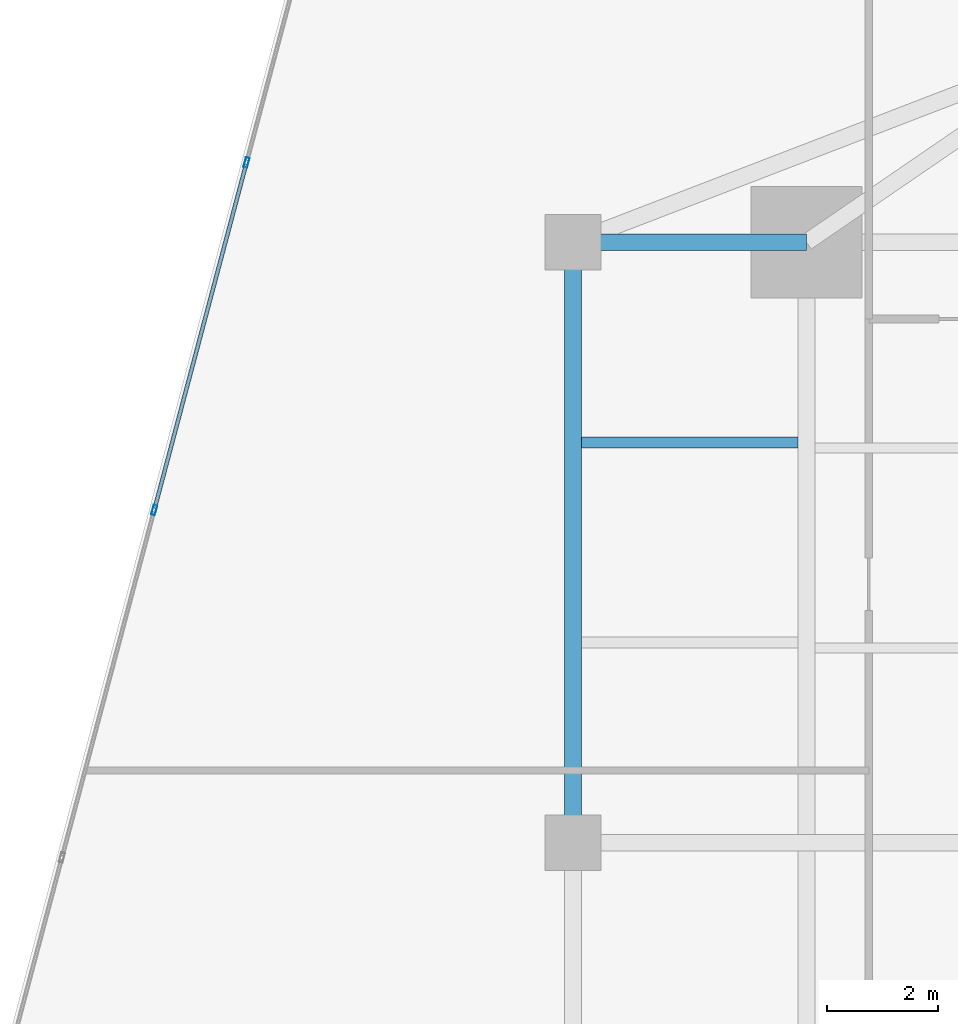
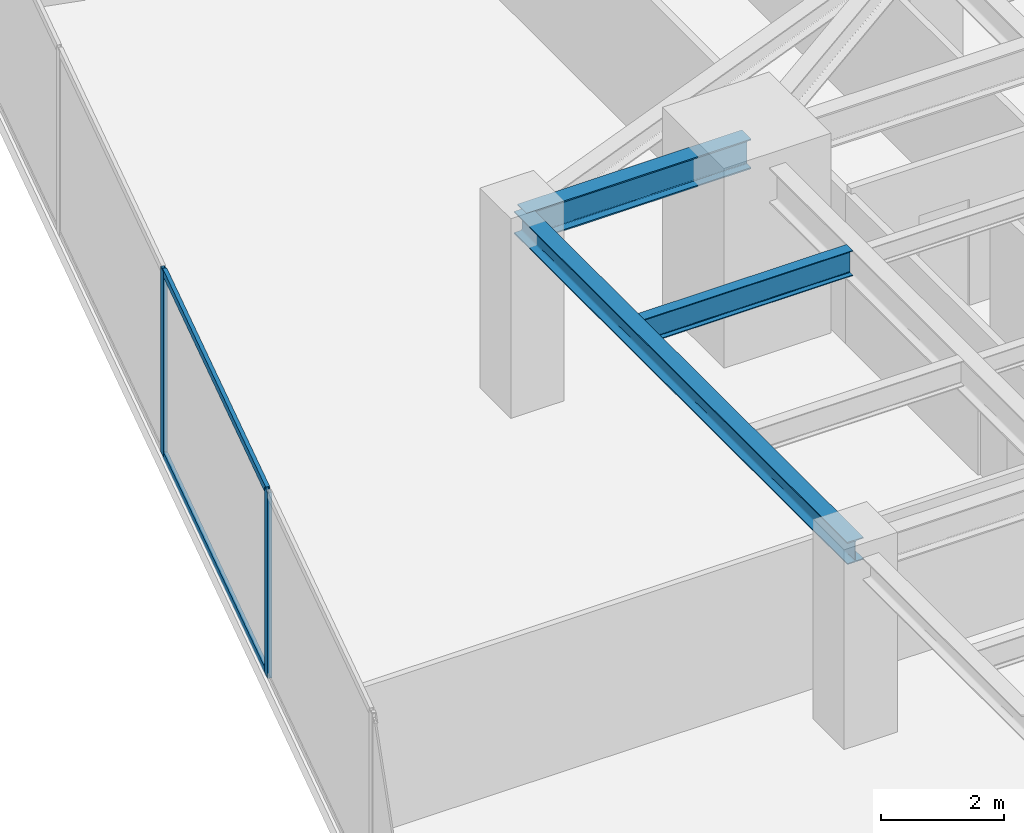
# One storey, part 14 of 27: 4 members, 3 beams, 1 element without a shape of its own.
"""IFC4 building model written with IfcOpenShell, lengths in metres."""

import ifcopenshell
import ifcopenshell.guid

model = None  # the IFC model being written
_history = None  # IfcOwnerHistory: only IFC2X3 demands one
_inside = {}  # id of a spatial element -> (the spatial element, [elements in it])
_under = {}  # id of a project, library or spatial element -> (it, [spatial elements below it])
_declared = {}  # id of a project -> (the project, [libraries it declares])
_typed = {}  # id of a type object -> (the type object, [elements of that type])
_made_of = {}  # id of a material, layer set ... -> (it, [elements and type objects made of it])


def new_model(schema):
    """Start an empty IFC model of exactly this schema.

    Asked for "IFC4X3", IfcOpenShell would pick the latest addendum, in which some entities
    have other attributes; the version numbers below select the first issue.
    IFC2X3 requires an IfcOwnerHistory on every rooted entity: one is made here for all.
    """
    global model, _history
    if schema == "IFC4X3":
        model = ifcopenshell.file(schema_version=(4, 3, 0, 0))
    else:
        model = ifcopenshell.file(schema=schema)
    _inside.clear()
    _under.clear()
    _declared.clear()
    _typed.clear()
    _made_of.clear()
    _history = None
    if model.schema == "IFC2X3":
        org = make("IfcOrganization", Name="unknown")
        user = make(
            "IfcPersonAndOrganization",
            ThePerson=make("IfcPerson", FamilyName="unknown"),
            TheOrganization=org,
        )
        app = make(
            "IfcApplication",
            ApplicationDeveloper=org,
            Version="unknown",
            ApplicationFullName="unknown",
            ApplicationIdentifier="unknown",
        )
        _history = make(
            "IfcOwnerHistory",
            OwningUser=user,
            OwningApplication=app,
            ChangeAction="ADDED",
            CreationDate=0,
        )
    return model


def make(cls, **values):
    """One entity of the class cls with the attributes given. An attribute that is None is left unset."""
    return model.create_entity(
        cls, **{name: value for name, value in values.items() if value is not None}
    )


def rooted(cls, **values):
    """An entity with a GlobalId (a new one), such as an element, a storey or a relation."""
    return make(cls, GlobalId=ifcopenshell.guid.new(), OwnerHistory=_history, **values)


def si_unit(unit_type, name, prefix=None):
    """IfcSIUnit, for example si_unit("LENGTHUNIT", "METRE", prefix="MILLI")."""
    return make("IfcSIUnit", UnitType=unit_type, Prefix=prefix, Name=name)


def assignment(units):
    """IfcUnitAssignment: the units of a project."""
    return None if units is None else make("IfcUnitAssignment", Units=units)


def point(xyz):
    """IfcCartesianPoint."""
    return None if xyz is None else make("IfcCartesianPoint", Coordinates=xyz)


def direction(xyz):
    """IfcDirection."""
    return None if xyz is None else make("IfcDirection", DirectionRatios=xyz)


def frame(location, z_axis=None, x_axis=None):
    """IfcAxis2Placement3D, a coordinate frame: its origin and axes. An axis left out is left unset."""
    return make(
        "IfcAxis2Placement3D",
        Location=point(location),
        Axis=direction(z_axis),
        RefDirection=direction(x_axis),
    )


def frame_2d(location, x_axis=None):
    """IfcAxis2Placement2D, a coordinate frame in the plane: its origin and x axis."""
    return make(
        "IfcAxis2Placement2D", Location=point(location), RefDirection=direction(x_axis)
    )


def origin():
    """The frame at (0, 0, 0) with its axes left unset."""
    return frame((0.0, 0.0, 0.0))


def origin_2d():
    """The frame at (0, 0) in the plane with its x axis left unset."""
    return frame_2d((0.0, 0.0))


def place(relative_to, where):
    """IfcLocalPlacement: puts the frame where relative to a parent placement (None: the world)."""
    return make(
        "IfcLocalPlacement", PlacementRelTo=relative_to, RelativePlacement=where
    )


def context(
    kind, dimensions, precision=None, world=None, true_north=None, identifier=None
):
    """IfcGeometricRepresentationContext, for example the 3D "Model" context."""
    return make(
        "IfcGeometricRepresentationContext",
        ContextIdentifier=identifier,
        ContextType=kind,
        CoordinateSpaceDimension=dimensions,
        Precision=precision,
        WorldCoordinateSystem=world,
        TrueNorth=true_north,
    )


def subcontext(parent, identifier, kind, view, scale=None):
    """IfcGeometricRepresentationSubContext, for example "Body" below "Model"."""
    return make(
        "IfcGeometricRepresentationSubContext",
        ContextIdentifier=identifier,
        ContextType=kind,
        ParentContext=parent,
        TargetScale=scale,
        TargetView=view,
    )


def project(units=None, contexts=None):
    """IfcProject with its units and contexts."""
    return rooted(
        "IfcProject",
        Name="project",
        RepresentationContexts=contexts,
        UnitsInContext=assignment(units),
    )


def spatial(cls, under=None, at=None, **own):
    """A site, building, storey or space (cls), placed at a placement, below another one or the project."""
    s = rooted(cls, ObjectPlacement=at, **own)
    if under is not None:
        _under.setdefault(under.id(), (under, []))[1].append(s)
    return s


def profile(cls, at=None, kind="AREA", **sizes):
    """A parametric profile (cls). Its sizes go by their IFC names, for example OverallWidth=200.0."""
    return make(cls, ProfileType=kind, Position=at, **sizes)


def hollow_rectangle(**sizes):
    """IfcRectangleHollowProfileDef."""
    return profile("IfcRectangleHollowProfileDef", **sizes)


def i_section(**sizes):
    """IfcIShapeProfileDef."""
    return profile("IfcIShapeProfileDef", **sizes)


def extrude(swept, where, along, depth):
    """IfcExtrudedAreaSolid: the profile swept, set in the frame where, extruded along a direction by depth."""
    return make(
        "IfcExtrudedAreaSolid",
        SweptArea=swept,
        Position=where,
        ExtrudedDirection=direction(along),
        Depth=depth,
    )


def shape(context_of_items, identifier, shape_type, items):
    """IfcShapeRepresentation: the items that make up one representation, for example the "Body"."""
    return make(
        "IfcShapeRepresentation",
        ContextOfItems=context_of_items,
        RepresentationIdentifier=identifier,
        RepresentationType=shape_type,
        Items=items,
    )


def source(mapping_origin, context_of_items, identifier, shape_type, items):
    """IfcRepresentationMap: a shape defined once, which mapped items show again and again."""
    return make(
        "IfcRepresentationMap",
        MappingOrigin=mapping_origin,
        MappedRepresentation=shape(context_of_items, identifier, shape_type, items),
    )


def transform(
    local_origin,
    x_axis=None,
    y_axis=None,
    z_axis=None,
    scale=None,
    scale2=None,
    scale3=None,
    uniform=True,
):
    """IfcCartesianTransformationOperator3D, or its non-uniform kind. x_axis, y_axis, z_axis: its Axis1, 2, 3."""
    if uniform:
        return make(
            "IfcCartesianTransformationOperator3D",
            Axis1=direction(x_axis),
            Axis2=direction(y_axis),
            LocalOrigin=point(local_origin),
            Scale=scale,
            Axis3=direction(z_axis),
        )
    return make(
        "IfcCartesianTransformationOperator3DnonUniform",
        Axis1=direction(x_axis),
        Axis2=direction(y_axis),
        LocalOrigin=point(local_origin),
        Scale=scale,
        Axis3=direction(z_axis),
        Scale2=scale2,
        Scale3=scale3,
    )


def mapped(mapping_source, mapping_target):
    """IfcMappedItem: shows the shape of a source again, moved by a transform."""
    return make(
        "IfcMappedItem", MappingSource=mapping_source, MappingTarget=mapping_target
    )


def material(Name=None, Category=None):
    """IfcMaterial."""
    return make("IfcMaterial", Name=Name, Category=Category)


def material_profile(
    of_material, cross_section, Name=None, Category=None, Priority=None
):
    """IfcMaterialProfile: a cross section and its material."""
    return make(
        "IfcMaterialProfile",
        Name=Name,
        Material=of_material,
        Profile=cross_section,
        Priority=Priority,
        Category=Category,
    )


def profile_set(profiles, Name=None, composite=None):
    """IfcMaterialProfileSet."""
    return make(
        "IfcMaterialProfileSet",
        Name=Name,
        MaterialProfiles=profiles,
        CompositeProfile=composite,
    )


def made_of(thing, what):
    """Note that an element or type object is made of a material, layer set ...; save() writes the relation."""
    if what is not None:
        _made_of.setdefault(what.id(), (what, []))[1].append(thing)
    return thing


def type_object(cls, material=None, **own):
    """A type object (cls), such as IfcWallType, which elements share."""
    return made_of(rooted(cls, **own), material)


def type_shapes(of_type, sources):
    """Give a type object the sources (RepresentationMaps) that its elements show as mapped items."""
    of_type.RepresentationMaps = sources


def element(
    cls,
    number,
    at=None,
    inside=None,
    cuts=None,
    type_object=None,
    material=None,
    context=None,
    identifier="Body",
    shape_type=None,
    held_by="IfcProductDefinitionShape",
    body=None,
    shapes=None,
    **own,
):
    """One element of the class cls, such as IfcWall. Its Tag is "e" and its number.

    at: its placement. inside: the storey or other place that contains it. cuts: it is an
    opening in that element (IfcRelVoidsElement). A single representation is given by context,
    identifier, shape_type and body (its items); several are given by shapes. held_by: the class
    of the entity that holds the representations. save() writes the other relations.
    """
    e = rooted(cls, Tag="e%d" % number, ObjectPlacement=at, **own)
    if body is not None:
        shapes = [shape(context, identifier, shape_type, body)]
    if shapes is not None:
        e.Representation = make(held_by, Representations=shapes)
    if inside is not None:
        _inside.setdefault(inside.id(), (inside, []))[1].append(e)
    if cuts is not None:
        rooted(
            "IfcRelVoidsElement", RelatingBuildingElement=cuts, RelatedOpeningElement=e
        )
    if type_object is not None:
        _typed.setdefault(type_object.id(), (type_object, []))[1].append(e)
    return made_of(e, material)


def aggregate(whole, parts):
    """IfcRelAggregates: a whole, such as a stair, and the parts it consists of."""
    return rooted("IfcRelAggregates", RelatingObject=whole, RelatedObjects=parts)


def save(model, path):
    """Write the relations noted so far, then the file.

    IfcRelAggregates (storeys below a building ...), IfcRelContainedInSpatialStructure (elements
    in a storey), IfcRelDefinesByType, IfcRelAssociatesMaterial and IfcRelDeclares: one each for
    every whole, place, type object, material and project.
    """
    for whole, parts in _under.values():
        aggregate(whole, parts)
    for where, things in _inside.values():
        rooted(
            "IfcRelContainedInSpatialStructure",
            RelatedElements=things,
            RelatingStructure=where,
        )
    for kind, things in _typed.values():
        rooted("IfcRelDefinesByType", RelatedObjects=things, RelatingType=kind)
    for what, things in _made_of.values():
        rooted("IfcRelAssociatesMaterial", RelatedObjects=things, RelatingMaterial=what)
    for by, libraries in _declared.values():
        rooted("IfcRelDeclares", RelatingContext=by, RelatedDefinitions=libraries)
    model.write(path)


model = new_model("IFC4")

# Units and contexts
model_context = context("Model", 3, precision=1e-05, world=origin(), true_north=direction((0.0, 1.0)))
body_context = subcontext(model_context, "Body", "Model", "MODEL_VIEW")
ifc_project = project(units=[si_unit("LENGTHUNIT", "METRE"), si_unit("AREAUNIT", "SQUARE_METRE"), si_unit("VOLUMEUNIT", "CUBIC_METRE"), si_unit("PLANEANGLEUNIT", "RADIAN"), si_unit("MASSUNIT", "GRAM", prefix="KILO")], contexts=[model_context])

# Site, building, storey
site_placement = place(None, origin())
site = spatial("IfcSite", under=ifc_project, at=site_placement, CompositionType="ELEMENT")
building_placement = place(site_placement, origin())
building = spatial("IfcBuilding", under=site, at=building_placement, Name="Krantzveldt Concourse Tower", CompositionType="ELEMENT")
storey_placement = place(building_placement, frame((0.0, 0.0, 97.949951171875)))
storey = spatial("IfcBuildingStorey", under=building, at=storey_placement, Name="L23", CompositionType="ELEMENT", Elevation=97.949951171875)

# Beams
ifc_material_1 = material(Name="Steel S355JR", Category="steel")
ifc_material_profile_1 = material_profile(ifc_material_1, i_section(OverallWidth=0.300048828125, OverallDepth=0.43994140625, WebThickness=0.011474609375, FlangeThickness=0.02099609375, FilletRadius=0.027099609375, at=origin_2d()), Name="Steel S355JR", Category="steel")
ifc_profile_set_1 = profile_set([ifc_material_profile_1], Name="Steel S355JR - HEA 450")
beam_type_1 = type_object("IfcBeamType", Name="BM-SP-HEA450", PredefinedType="SPANDREL", material=ifc_profile_set_1)
shared_shape_1 = source(origin(), body_context, "Body", "SweptSolid", [
    extrude(i_section(OverallWidth=0.300048828125, OverallDepth=0.43994140625, WebThickness=0.011474609375, FlangeThickness=0.02099609375, FilletRadius=0.027099609375, at=origin_2d()), origin(), (0.0, 0.0, 1.0), 10.800048828125),
])
type_shapes(beam_type_1, [shared_shape_1])
beam_1_placement = place(storey_placement, frame((21.0, 26.699951171875, 3.449951171875), z_axis=(0.0, 1.0, 0.0), x_axis=(-1.0, 0.0, 0.0)))
element("IfcBeam", 1, at=beam_1_placement, inside=storey, type_object=beam_type_1, Name="L23 Tower Girder SP-R02", PredefinedType="SPANDREL", context=body_context, shape_type="MappedRepresentation", body=[
    mapped(shared_shape_1, transform((0.0, 0.0, 0.0), x_axis=(1.0, 0.0, 0.0), y_axis=(0.0, 1.0, 0.0), z_axis=(0.0, 0.0, 1.0), scale=1.0)),
])
ifc_material_profile_2 = material_profile(ifc_material_1, i_section(OverallWidth=0.300048828125, OverallDepth=0.590087890625, WebThickness=0.012939453125, FlangeThickness=0.02490234375, FilletRadius=0.027099609375, at=origin_2d()), Name="Steel S355JR", Category="steel")
ifc_profile_set_2 = profile_set([ifc_material_profile_2], Name="Steel S355JR - HEA 600")
beam_type_2 = type_object("IfcBeamType", Name="BM-B-HEA600", PredefinedType="BEAM", material=ifc_profile_set_2)
shared_shape_2 = source(origin(), body_context, "Body", "SweptSolid", [
    extrude(i_section(OverallWidth=0.300048828125, OverallDepth=0.590087890625, WebThickness=0.012939453125, FlangeThickness=0.02490234375, FilletRadius=0.027099609375, at=origin_2d()), origin(), (0.0, 0.0, 1.0), 4.199951171875),
])
type_shapes(beam_type_2, [shared_shape_2])
beam_2_placement = place(storey_placement, frame((21.0, 37.5, 3.375), z_axis=(1.0, 0.0, 0.0), x_axis=(0.0, 1.0, 0.0)))
element("IfcBeam", 2, at=beam_2_placement, inside=storey, type_object=beam_type_2, Name="L23 Tower Girder BR-RL3", PredefinedType="BEAM", context=body_context, shape_type="MappedRepresentation", body=[
    mapped(shared_shape_2, transform((0.0, 0.0, 0.0), x_axis=(1.0, 0.0, 0.0), y_axis=(0.0, 1.0, 0.0), z_axis=(0.0, 0.0, 1.0), scale=1.0)),
])
ifc_material_profile_3 = material_profile(ifc_material_1, i_section(OverallWidth=0.199951171875, OverallDepth=0.5, WebThickness=0.01025390625, FlangeThickness=0.01611328125, FilletRadius=0.02099609375, at=origin_2d()), Name="Steel S355JR", Category="steel")
ifc_profile_set_3 = profile_set([ifc_material_profile_3], Name="Steel S355JR - IPE 500")
beam_type_3 = type_object("IfcBeamType", Name="BM-J-IPE500", PredefinedType="JOIST", material=ifc_profile_set_3)
shared_shape_3 = source(origin(), body_context, "Body", "SweptSolid", [
    extrude(i_section(OverallWidth=0.199951171875, OverallDepth=0.5, WebThickness=0.01025390625, FlangeThickness=0.01611328125, FilletRadius=0.02099609375, at=origin_2d()), origin(), (0.0, 0.0, 1.0), 3.900146484375),
])
type_shapes(beam_type_3, [shared_shape_3])
beam_3_placement = place(storey_placement, frame((21.14990234375, 33.89990234375, 3.420166015625), z_axis=(1.0, 0.0, 0.0), x_axis=(0.0, 1.0, 0.0)))
element("IfcBeam", 3, at=beam_3_placement, inside=storey, type_object=beam_type_3, Name="L23 Secondary Floor Joist JW-4", PredefinedType="JOIST", context=body_context, shape_type="MappedRepresentation", body=[
    mapped(shared_shape_3, transform((0.0, 0.0, 0.0), x_axis=(1.0, 0.0, 0.0), y_axis=(0.0, 1.0, 0.0), z_axis=(0.0, 0.0, 1.0), scale=1.0)),
])

# Curtain wall, members
ifc_material_2 = material(Name="Anodised aluminium 6063-T6", Category="aluminium")
curtain_wall_type = type_object("IfcCurtainWallType", Name="CW2", PredefinedType="USERDEFINED", material=ifc_material_2)
curtain_wall_placement = place(storey_placement, origin())
curtain_wall = element("IfcCurtainWall", 4, at=curtain_wall_placement, inside=storey, type_object=curtain_wall_type, Name="CW-L23-F01", ObjectType="UNITISED CURTAIN WALL", PredefinedType="USERDEFINED")
ifc_material_profile_4 = material_profile(ifc_material_2, hollow_rectangle(XDim=0.070068359375, YDim=0.179931640625, WallThickness=0.0048828125, at=origin_2d()), Name="Anodised aluminium 6063-T6", Category="aluminium")
ifc_profile_set_4 = profile_set([ifc_material_profile_4], Name="Anodised aluminium 6063-T6 - ALU-MULL 180x70x5")
member_type_1 = type_object("IfcMemberType", Name="CW-MUL-180", PredefinedType="MULLION", material=ifc_profile_set_4)
shared_shape_4 = source(origin(), body_context, "Body", "SweptSolid", [
    extrude(hollow_rectangle(XDim=0.070068359375, YDim=0.179931640625, WallThickness=0.0048828125, at=origin_2d()), origin(), (0.0, 0.0, 1.0), 3.670166015625),
])
type_shapes(member_type_1, [shared_shape_4])
member_1_placement = place(storey_placement, frame((15.131103515625, 38.933837890625, 0.0), z_axis=(0.0, 0.0, 1.0), x_axis=(0.966488186373, -0.256711093648, 0.0)))
member_1 = element("IfcMember", 5, at=member_1_placement, type_object=member_type_1, Name="CW-Z12 mullion 3", PredefinedType="MULLION", context=body_context, shape_type="MappedRepresentation", body=[
    mapped(shared_shape_4, transform((0.0, 0.0, 0.0), x_axis=(1.0, 0.0, 0.0), y_axis=(0.0, 1.0, 0.0), z_axis=(0.0, 0.0, 1.0), scale=1.0)),
])
member_2_placement = place(storey_placement, frame((13.47119140625, 32.683837890625, 0.0), z_axis=(0.0, 0.0, 1.0), x_axis=(0.966488186373, -0.256711093648, 0.0)))
member_2 = element("IfcMember", 6, at=member_2_placement, type_object=member_type_1, Name="CW-Z12 mullion 4", PredefinedType="MULLION", context=body_context, shape_type="MappedRepresentation", body=[
    mapped(shared_shape_4, transform((0.0, 0.0, 0.0), x_axis=(1.0, 0.0, 0.0), y_axis=(0.0, 1.0, 0.0), z_axis=(0.0, 0.0, 1.0), scale=1.0)),
])
ifc_material_profile_5 = material_profile(ifc_material_2, hollow_rectangle(XDim=0.070068359375, YDim=0.139892578125, WallThickness=0.0048828125, at=origin_2d()), Name="Anodised aluminium 6063-T6", Category="aluminium")
ifc_profile_set_5 = profile_set([ifc_material_profile_5], Name="Anodised aluminium 6063-T6 - ALU-TRAN 140x70x5")
member_type_2 = type_object("IfcMemberType", Name="CW-TRN-150", PredefinedType="USERDEFINED", material=ifc_profile_set_5)
shared_shape_5 = source(origin(), body_context, "Body", "SweptSolid", [
    extrude(hollow_rectangle(XDim=0.070068359375, YDim=0.139892578125, WallThickness=0.0048828125, at=origin_2d()), origin(), (0.0, 0.0, 1.0), 6.396728515625),
])
type_shapes(member_type_2, [shared_shape_5])
member_3_placement = place(storey_placement, frame((15.122314453125, 38.900146484375, 0.03515625), z_axis=(-0.256707571528, -0.966489121884, 0.0), x_axis=(0.966489121884, -0.256707571528, 0.0)))
member_3 = element("IfcMember", 7, at=member_3_placement, type_object=member_type_2, Name="CW-Z12 transom 3.1", ObjectType="TRANSOM", PredefinedType="USERDEFINED", context=body_context, shape_type="MappedRepresentation", body=[
    mapped(shared_shape_5, transform((0.0, 0.0, 0.0), x_axis=(1.0, 0.0, 0.0), y_axis=(0.0, 1.0, 0.0), z_axis=(0.0, 0.0, 1.0), scale=1.0)),
])
member_4_placement = place(storey_placement, frame((15.122314453125, 38.900146484375, 3.635009765625), z_axis=(-0.256707571528, -0.966489121884, 0.0), x_axis=(0.966489121884, -0.256707571528, 0.0)))
member_4 = element("IfcMember", 8, at=member_4_placement, type_object=member_type_2, Name="CW-Z12 transom 3.2", ObjectType="TRANSOM", PredefinedType="USERDEFINED", context=body_context, shape_type="MappedRepresentation", body=[
    mapped(shared_shape_5, transform((0.0, 0.0, 0.0), x_axis=(1.0, 0.0, 0.0), y_axis=(0.0, 1.0, 0.0), z_axis=(0.0, 0.0, 1.0), scale=1.0)),
])
aggregate(curtain_wall, [member_1, member_2, member_3, member_4])

save(model, "model.ifc")
